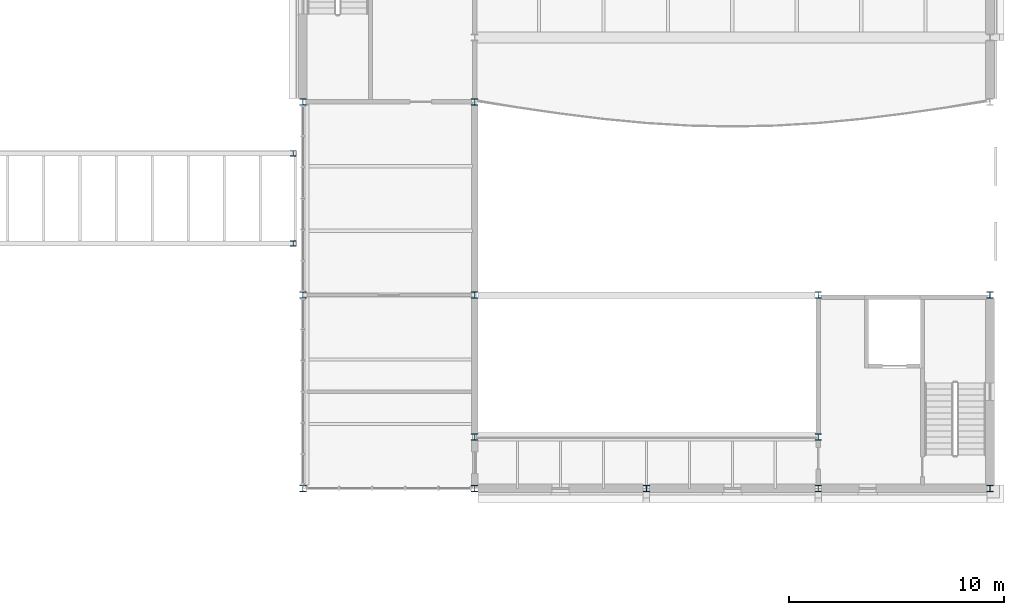
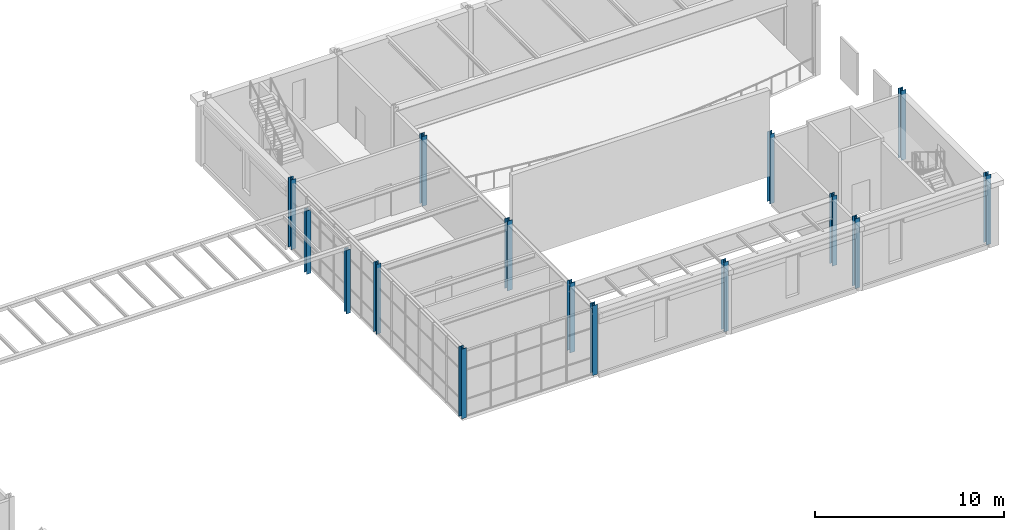
# One storey, part 14 of 153: 15 columns.
"""IFC4 building model written with IfcOpenShell, lengths in metres."""

from ifc_helpers import new_model, si_unit, direction, frame, origin, origin_2d, place, context, subcontext, project, spatial, i_section, extrude, material, material_profile, profile_set, type_object, element, save


model = new_model("IFC4")

# Units and contexts
model_context = context("Model", 3, precision=1e-05, world=origin(), true_north=direction((0.0, 1.0)))
body_context = subcontext(model_context, "Body", "Model", "MODEL_VIEW")
ifc_project = project(units=[si_unit("LENGTHUNIT", "METRE"), si_unit("AREAUNIT", "SQUARE_METRE"), si_unit("VOLUMEUNIT", "CUBIC_METRE"), si_unit("PLANEANGLEUNIT", "RADIAN"), si_unit("MASSUNIT", "GRAM", prefix="KILO")], contexts=[model_context])

# Site, building, storey
site_placement = place(None, origin())
site = spatial("IfcSite", under=ifc_project, at=site_placement, CompositionType="ELEMENT")
building_placement = place(site_placement, origin())
building = spatial("IfcBuilding", under=site, at=building_placement, Name="Kallimachos Central Library", CompositionType="ELEMENT")
storey_placement = place(building_placement, frame((0.0, 0.0, 5.39990234375)))
storey = spatial("IfcBuildingStorey", under=building, at=storey_placement, Name="L01", CompositionType="ELEMENT", Elevation=5.39990234375)

# Columns
ifc_material_1 = material(Name="Steel S355J2", Category="steel")
ifc_material_profile_1 = material_profile(ifc_material_1, i_section(OverallWidth=0.260009765625, OverallDepth=0.260009765625, WebThickness=0.010009765625, FlangeThickness=0.017578125, FilletRadius=0.02392578125, at=origin_2d()), Name="HEB 260")
ifc_profile_set_1 = profile_set([ifc_material_profile_1], Name="Steel S355J2")
column_type_1 = type_object("IfcColumnType", Name="HEB 260 column", PredefinedType="COLUMN", material=ifc_profile_set_1)
for number, where, z_axis, x_axis, name in (
    (1, (137.550048828125, 98.39990234375, 0.0), (0.0, 0.0, 1.0), (1.0, 0.0, 0.0), "B-E landing column"),
    (2, (137.550048828125, 102.60009765625, 0.0), (0.0, 0.0, 1.0), (1.0, 0.0, 0.0), "B-E landing column"),
):
    element("IfcColumn", number, at=place(storey_placement, frame(where, z_axis=z_axis, x_axis=x_axis)), inside=storey, type_object=column_type_1, Name=name, PredefinedType="COLUMN", context=body_context, shape_type="SweptSolid", body=[
        extrude(i_section(OverallWidth=0.260009765625, OverallDepth=0.260009765625, WebThickness=0.010009765625, FlangeThickness=0.017578125, FilletRadius=0.02392578125, at=origin_2d()), origin(), (0.0, 0.0, 1.0), 4.10009765625),
    ])
ifc_material_2 = material(Name="Steel S355J2", Category="steel")
ifc_material_profile_2 = material_profile(ifc_material_2, i_section(OverallWidth=0.300048828125, OverallDepth=0.300048828125, WebThickness=0.010986328125, FlangeThickness=0.01904296875, FilletRadius=0.027099609375, at=origin_2d()), Name="HEB 300")
ifc_profile_set_2 = profile_set([ifc_material_profile_2], Name="Steel S355J2")
column_type_2 = type_object("IfcColumnType", Name="HEB 300 column", PredefinedType="COLUMN", material=ifc_profile_set_2)
for number, where, z_axis, x_axis, name in (
    (3, (138.0, 87.0, 0.0), (0.0, 0.0, 1.0), (1.0, 0.0, 0.0), "V3-COL-L01-001"),
    (4, (170.0, 87.0, 0.0), (0.0, 0.0, 1.0), (1.0, 0.0, 0.0), "V3-COL-L01-002"),
    (5, (138.0, 96.0, 0.0), (0.0, 0.0, 1.0), (1.0, 0.0, 0.0), "V3-COL-L01-003"),
    (6, (170.0, 96.0, 0.0), (0.0, 0.0, 1.0), (1.0, 0.0, 0.0), "V3-COL-L01-004"),
    (7, (138.0, 105.0, 0.0), (0.0, 0.0, 1.0), (1.0, 0.0, 0.0), "V3-COL-L01-005"),
    (8, (146.0, 87.0, 0.0), (0.0, 0.0, 1.0), (1.0, 0.0, 0.0), "V3-COL-L01-009"),
    (9, (146.0, 89.39990234375, 0.0), (0.0, 0.0, 1.0), (1.0, 0.0, 0.0), "V3-COL-L01-010"),
    (10, (146.0, 96.0, 0.0), (0.0, 0.0, 1.0), (1.0, 0.0, 0.0), "V3-COL-L01-011"),
    (11, (146.0, 105.0, 0.0), (0.0, 0.0, 1.0), (1.0, 0.0, 0.0), "V3-COL-L01-013"),
    (12, (162.0, 87.0, 0.0), (0.0, 0.0, 1.0), (1.0, 0.0, 0.0), "V3-COL-L01-015"),
    (13, (162.0, 96.0, 0.0), (0.0, 0.0, 1.0), (1.0, 0.0, 0.0), "V3-COL-L01-016"),
    (14, (162.0, 89.39990234375, 0.0), (0.0, 0.0, 1.0), (1.0, 0.0, 0.0), "V3-COL-L01-017"),
    (15, (154.0, 87.0, 0.0), (0.0, 0.0, 1.0), (1.0, 0.0, 0.0), "V3-COL-L01-018"),
):
    element("IfcColumn", number, at=place(storey_placement, frame(where, z_axis=z_axis, x_axis=x_axis)), inside=storey, type_object=column_type_2, Name=name, PredefinedType="COLUMN", context=body_context, shape_type="SweptSolid", body=[
        extrude(i_section(OverallWidth=0.300048828125, OverallDepth=0.300048828125, WebThickness=0.010986328125, FlangeThickness=0.01904296875, FilletRadius=0.027099609375, at=origin_2d()), origin(), (0.0, 0.0, 1.0), 4.5),
    ])

save(model, "model.ifc")
